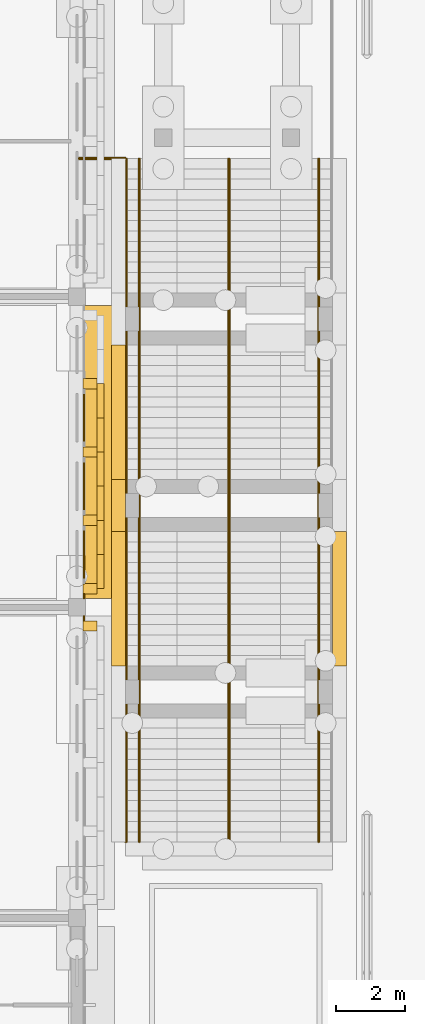
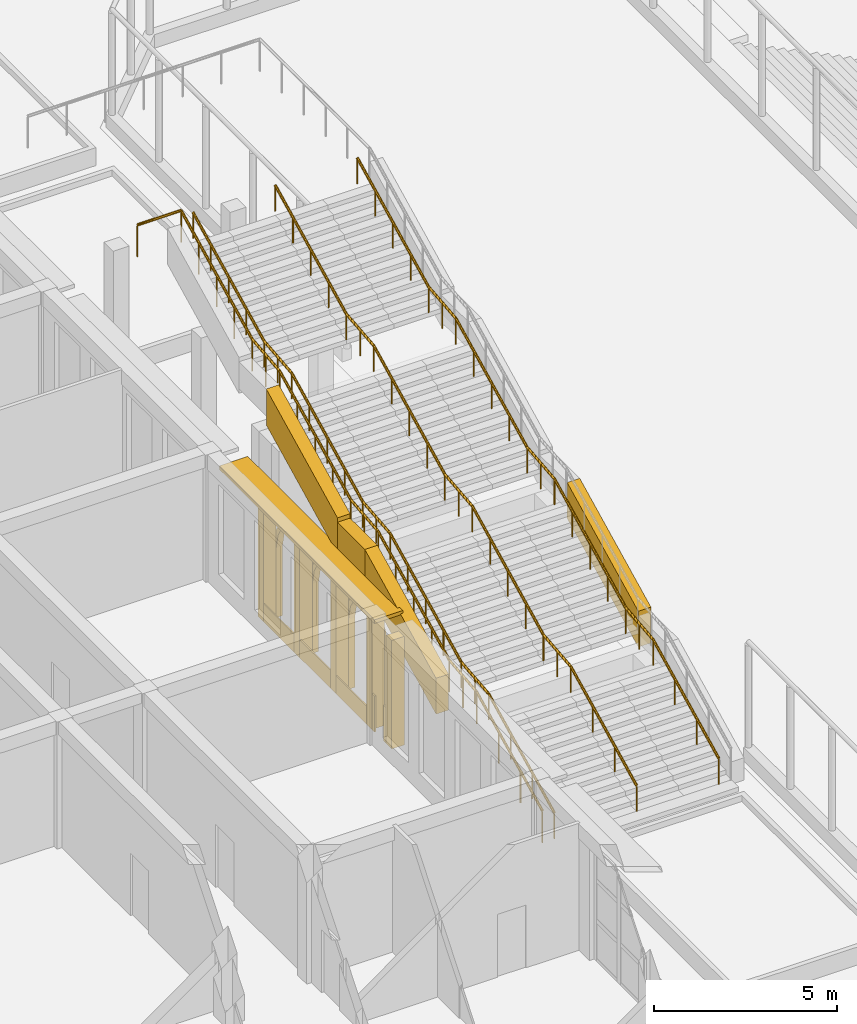
# One storey, part 135 of 161: 17 coverings, 4 railings, 1 shading device.
"""IFC4 building model written with IfcOpenShell, lengths in metres."""

from ifc_helpers import new_model, si_unit, direction, frame, origin, origin_2d, place, context, subcontext, project, spatial, polyline, rectangle, circle, outline, extrude, material, layer, layer_set, type_object, element, save


model = new_model("IFC4")

# Units and contexts
model_context = context("Model", 3, precision=1e-05, world=origin(), true_north=direction((0.0, 1.0)))
body_context = subcontext(model_context, "Body", "Model", "MODEL_VIEW")
ifc_project = project(units=[si_unit("LENGTHUNIT", "METRE"), si_unit("AREAUNIT", "SQUARE_METRE"), si_unit("VOLUMEUNIT", "CUBIC_METRE"), si_unit("PLANEANGLEUNIT", "RADIAN"), si_unit("MASSUNIT", "GRAM", prefix="KILO")], contexts=[model_context])

# Site, building, storey
site_placement = place(None, origin())
site = spatial("IfcSite", under=ifc_project, at=site_placement, CompositionType="ELEMENT")
building_placement = place(site_placement, origin())
building = spatial("IfcBuilding", under=site, at=building_placement, Name="Elbe Cascade School", CompositionType="ELEMENT")
storey_placement = place(building_placement, origin())
storey = spatial("IfcBuildingStorey", under=building, at=storey_placement, Name="L00", CompositionType="ELEMENT", Elevation=0.0)

# Shading device
ifc_material_1 = material(Name="Precast concrete C30/37", Category="concrete")
ifc_layer_1 = layer(ifc_material_1, 0.1201171875)
ifc_layer_set_1 = layer_set([ifc_layer_1], Name="Precast concrete C30/37")
shading_device_type = type_object("IfcShadingDeviceType", Name="Bars envelope Chhajja eave, precast concrete, 900 x 120", PredefinedType="USERDEFINED", material=ifc_layer_set_1)
shading_device_placement = place(storey_placement, frame((175.530029296875, 28.5, 3.6298828125), z_axis=(0.0, 0.0, 1.0), x_axis=(0.0, 1.0, 0.0)))
element("IfcShadingDevice", 1, at=shading_device_placement, inside=storey, type_object=shading_device_type, Name="Chhajja eave SD2 D.L00.e3", ObjectType="CHHAJJA", PredefinedType="USERDEFINED", context=body_context, shape_type="SweptSolid", body=[
    extrude(rectangle(XDim=8.5, YDim=0.89990234375, at=origin_2d()), origin(), (0.0, 0.0, 1.0), 0.1201171875),
])

# Coverings
ifc_material_2 = material(Name="Precast concrete C40/50", Category="concrete")
covering_type_1 = type_object("IfcCoveringType", Name="Bars envelope Precast concrete fin, 300 wide, 400 deep", PredefinedType="CLADDING", material=ifc_material_2)
for number, where, z_axis, x_axis, name in (
    (2, (175.280029296875, 23.4599609375, 0.0), (0.0, 0.0, 1.0), (0.0, 1.0, 0.0), "Fin CV67 D.L00.e2.5"),
    (3, (175.280029296875, 24.5400390625, 0.0), (0.0, 0.0, 1.0), (0.0, 1.0, 0.0), "Fin CV67 D.L00.e3.1"),
    (4, (175.280029296875, 26.52001953125, 0.0), (0.0, 0.0, 1.0), (0.0, 1.0, 0.0), "Fin CV67 D.L00.e3.2"),
    (5, (175.280029296875, 28.5, 0.0), (0.0, 0.0, 1.0), (0.0, 1.0, 0.0), "Fin CV67 D.L00.e3.3"),
    (6, (175.280029296875, 30.47998046875, 0.0), (0.0, 0.0, 1.0), (0.0, 1.0, 0.0), "Fin CV67 D.L00.e3.4"),
):
    element("IfcCovering", number, at=place(storey_placement, frame(where, z_axis=z_axis, x_axis=x_axis)), inside=storey, type_object=covering_type_1, Name=name, PredefinedType="CLADDING", context=body_context, shape_type="SweptSolid", body=[
        extrude(rectangle(XDim=0.300048828125, YDim=0.39990234375, at=origin_2d()), origin(), (0.0, 0.0, 1.0), 3.6298828125),
    ])
ifc_material_3 = material(Name="Sandstone - red", Category="masonry")
ifc_layer_2 = layer(ifc_material_3, 0.0400390625)
ifc_layer_set_2 = layer_set([ifc_layer_2], Name="Sandstone - red")
covering_type_2 = type_object("IfcCoveringType", Name="Bars envelope Sandstone cladding, red, 40 mm", PredefinedType="CLADDING", material=ifc_layer_set_2)
for number, where, z_axis, x_axis, name in (
    (7, (175.10009765625, 23.679931640625, 0.0), (0.0, 0.0, 1.0), (0.0, 1.0, 0.0), "Sandstone cladding CV48 D.L00.e.2.6"),
    (8, (175.10009765625, 24.320068359375, 0.0), (0.0, 0.0, 1.0), (0.0, 1.0, 0.0), "Sandstone cladding CV48 D.L00.e.3.1"),
):
    element("IfcCovering", number, at=place(storey_placement, frame(where, z_axis=z_axis, x_axis=x_axis)), inside=storey, type_object=covering_type_2, Name=name, PredefinedType="CLADDING", context=body_context, shape_type="SweptSolid", body=[
        extrude(rectangle(XDim=0.139892578125, YDim=0.0400390625, at=origin_2d()), origin(), (0.0, 0.0, 1.0), 1.199951171875),
    ])
for number, where, z_axis, x_axis, name in (
    (9, (175.10009765625, 25.530029296875, 0.0), (0.0, 0.0, 1.0), (0.0, 1.0, 0.0), "Sandstone cladding CV48 D.L00.e.3.2"),
    (10, (175.10009765625, 27.510009765625, 0.0), (0.0, 0.0, 1.0), (0.0, 1.0, 0.0), "Sandstone cladding CV48 D.L00.e.3.3"),
    (11, (175.10009765625, 29.489990234375, 0.0), (0.0, 0.0, 1.0), (0.0, 1.0, 0.0), "Sandstone cladding CV48 D.L00.e.3.4"),
):
    element("IfcCovering", number, at=place(storey_placement, frame(where, z_axis=z_axis, x_axis=x_axis)), inside=storey, type_object=covering_type_2, Name=name, PredefinedType="CLADDING", context=body_context, shape_type="SweptSolid", body=[
        extrude(rectangle(XDim=1.679931640625, YDim=0.0400390625, at=origin_2d()), origin(), (0.0, 0.0, 1.0), 0.60009765625),
    ])
ifc_material_4 = material(Name="Sandstone - red", Category="masonry")
covering_type_3 = type_object("IfcCoveringType", Name="Bars envelope Sandstone pointed arch band, 1980 wide, 200 deep", PredefinedType="CLADDING", material=ifc_material_4)
covering_1_placement = place(storey_placement, frame((175.679931640625, 24.68994140625, 0.0), z_axis=(1.0, 0.0, 0.0), x_axis=(0.0, 0.0, 1.0)))
element("IfcCovering", 12, at=covering_1_placement, inside=storey, type_object=covering_type_3, Name="Arcade arch CV68 D.L00.e3.1", PredefinedType="CLADDING", context=body_context, shape_type="SweptSolid", body=[
    extrude(outline(polyline([(0.0, 0.0), (2.330078125, 0.0), (2.822509765625, -0.10498046875), (3.010498046875, -0.2099609375), (3.143310546875, -0.31494140625), (3.2451171875, -0.420166015625), (3.325927734375, -0.525146484375), (3.390380859375, -0.630126953125), (3.44091796875, -0.735107421875), (3.47998046875, -0.840087890625), (3.44091796875, -0.945068359375), (3.390380859375, -1.050048828125), (3.325927734375, -1.155029296875), (3.2451171875, -1.260009765625), (3.143310546875, -1.364990234375), (3.010498046875, -1.469970703125), (2.822509765625, -1.574951171875), (2.330078125, -1.68017578125), (0.0, -1.68017578125), (0.0, -1.830078125), (2.330078125, -1.830078125), (2.894287109375, -1.706298828125), (3.108642578125, -1.58251953125), (3.25927734375, -1.458740234375), (3.3740234375, -1.3349609375), (3.464111328125, -1.21142578125), (3.53466796875, -1.087646484375), (3.58935546875, -0.9638671875), (3.6298828125, -0.840087890625), (3.58935546875, -0.71630859375), (3.53466796875, -0.592529296875), (3.464111328125, -0.46875), (3.3740234375, -0.344970703125), (3.25927734375, -0.221435546875), (3.108642578125, -0.09765625), (2.894287109375, 0.026123046875), (2.330078125, 0.14990234375), (0.0, 0.14990234375), (0.0, 0.0)])), origin(), (0.0, 0.0, -1.0), 0.199951171875),
])
covering_2_placement = place(storey_placement, frame((175.679931640625, 26.669921875, 0.0), z_axis=(1.0, 0.0, 0.0), x_axis=(0.0, 0.0, 1.0)))
element("IfcCovering", 13, at=covering_2_placement, inside=storey, type_object=covering_type_3, Name="Arcade arch CV68 D.L00.e3.2", PredefinedType="CLADDING", context=body_context, shape_type="SweptSolid", body=[
    extrude(outline(polyline([(0.0, 0.0), (2.330078125, 0.0), (2.822509765625, -0.10498046875), (3.010498046875, -0.2099609375), (3.143310546875, -0.315185546875), (3.2451171875, -0.420166015625), (3.325927734375, -0.525146484375), (3.390380859375, -0.630126953125), (3.44091796875, -0.735107421875), (3.47998046875, -0.840087890625), (3.44091796875, -0.945068359375), (3.390380859375, -1.050048828125), (3.325927734375, -1.155029296875), (3.2451171875, -1.260009765625), (3.143310546875, -1.364990234375), (3.010498046875, -1.469970703125), (2.822509765625, -1.5751953125), (2.330078125, -1.68017578125), (0.0, -1.68017578125), (0.0, -1.830078125), (2.330078125, -1.830078125), (2.894287109375, -1.706298828125), (3.108642578125, -1.58251953125), (3.25927734375, -1.458740234375), (3.3740234375, -1.3349609375), (3.464111328125, -1.211181640625), (3.53466796875, -1.087646484375), (3.58935546875, -0.9638671875), (3.6298828125, -0.840087890625), (3.58935546875, -0.71630859375), (3.53466796875, -0.592529296875), (3.464111328125, -0.46875), (3.3740234375, -0.344970703125), (3.25927734375, -0.22119140625), (3.108642578125, -0.09765625), (2.894287109375, 0.026123046875), (2.330078125, 0.14990234375), (0.0, 0.14990234375), (0.0, 0.0)])), origin(), (0.0, 0.0, -1.0), 0.199951171875),
])
covering_3_placement = place(storey_placement, frame((175.679931640625, 28.64990234375, 0.0), z_axis=(1.0, 0.0, 0.0), x_axis=(0.0, 0.0, 1.0)))
element("IfcCovering", 14, at=covering_3_placement, inside=storey, type_object=covering_type_3, Name="Arcade arch CV68 D.L00.e3.3", PredefinedType="CLADDING", context=body_context, shape_type="SweptSolid", body=[
    extrude(outline(polyline([(0.0, 0.0), (2.330078125, 0.0), (2.822509765625, -0.10498046875), (3.010498046875, -0.210205078125), (3.143310546875, -0.315185546875), (3.2451171875, -0.420166015625), (3.325927734375, -0.525146484375), (3.390380859375, -0.630126953125), (3.44091796875, -0.735107421875), (3.47998046875, -0.840087890625), (3.44091796875, -0.945068359375), (3.390380859375, -1.050048828125), (3.325927734375, -1.155029296875), (3.2451171875, -1.260009765625), (3.143310546875, -1.364990234375), (3.010498046875, -1.47021484375), (2.822509765625, -1.5751953125), (2.330078125, -1.68017578125), (0.0, -1.68017578125), (0.0, -1.830078125), (2.330078125, -1.830078125), (2.894287109375, -1.706298828125), (3.108642578125, -1.58251953125), (3.25927734375, -1.458984375), (3.3740234375, -1.335205078125), (3.464111328125, -1.21142578125), (3.53466796875, -1.087646484375), (3.58935546875, -0.9638671875), (3.6298828125, -0.840087890625), (3.58935546875, -0.71630859375), (3.53466796875, -0.592529296875), (3.464111328125, -0.468994140625), (3.3740234375, -0.34521484375), (3.25927734375, -0.221435546875), (3.108642578125, -0.09765625), (2.894287109375, 0.026123046875), (2.330078125, 0.14990234375), (0.0, 0.14990234375), (0.0, 0.0)])), origin(), (0.0, 0.0, -1.0), 0.199951171875),
])
ifc_material_5 = material(Name="Sandstone - red", Category="masonry")
ifc_layer_3 = layer(ifc_material_5, 0.39990234375)
ifc_layer_set_3 = layer_set([ifc_layer_3], Name="Sandstone - red")
covering_type_4 = type_object("IfcCoveringType", Name="Cascade cheek wall 400", PredefinedType="CLADDING", material=ifc_layer_set_3)
covering_4_placement = place(storey_placement, frame((175.89990234375, 22.300048828125, 2.6923828125), z_axis=(0.0, -0.445913150156, 0.895076232797), x_axis=(0.0, 0.895076232797, 0.445913150156)))
element("IfcCovering", 15, at=covering_4_placement, inside=storey, type_object=covering_type_4, Name="Cascade flight 2 cheek wall w", PredefinedType="CLADDING", context=body_context, shape_type="SweptSolid", body=[
    extrude(outline(polyline([(0.0, 0.0), (4.3570616678807825, 0.0), (4.3570616678807825, -0.400146484375), (0.0, -0.400146484375), (0.0, 0.0)])), origin(), (-0.445913150156, 0.0, -0.895076232797), 1.199951171875),
])
covering_5_placement = place(storey_placement, frame((175.89990234375, 27.699951171875, 4.78466796875), z_axis=(0.0, -0.44589078677, 0.895087373542), x_axis=(0.0, 0.895087373542, 0.44589078677)))
element("IfcCovering", 16, at=covering_5_placement, inside=storey, type_object=covering_type_4, Name="Cascade flight 3 cheek wall w", PredefinedType="CLADDING", context=body_context, shape_type="SweptSolid", body=[
    extrude(outline(polyline([(0.0, 0.0), (4.357280193711668, 0.0), (4.357280193711668, -0.400146484375), (0.0, -0.400146484375), (0.0, 0.0)])), origin(), (-0.44589078677, 0.0, -0.895087373542), 1.199951171875),
])
covering_6_placement = place(storey_placement, frame((0.0, 0.0, 3.7353515625)))
element("IfcCovering", 17, at=covering_6_placement, inside=storey, type_object=covering_type_4, Name="Cascade landing 2 cheek wall w", PredefinedType="CLADDING", context=body_context, shape_type="SweptSolid", body=[
    extrude(outline(polyline([(175.89990234375, 26.199951171875), (176.300048828125, 26.199951171875), (176.300048828125, 27.699951171875), (175.89990234375, 27.699951171875), (175.89990234375, 26.199951171875)])), origin(), (0.0, 0.0, 1.0), 0.89990234375),
])
covering_7_placement = place(storey_placement, frame((182.300048828125, 22.300048828125, 2.6923828125), z_axis=(0.0, -0.445913150156, 0.895076232797), x_axis=(0.0, 0.895076232797, 0.445913150156)))
element("IfcCovering", 18, at=covering_7_placement, inside=storey, type_object=covering_type_4, Name="Cascade flight 2 cheek wall e", PredefinedType="CLADDING", context=body_context, shape_type="SweptSolid", body=[
    extrude(outline(polyline([(0.0, 0.0), (4.3570616678807825, 0.0), (4.3570616678807825, -0.39990234375), (0.0, -0.39990234375), (0.0, 0.0)])), origin(), (-0.445913150156, 0.0, -0.895076232797), 1.199951171875),
])

# Railings
ifc_material_6 = material(Name="Steel S355J2H", Category="steel")
railing_type_1 = type_object("IfcRailingType", Name="Track guard 1100", PredefinedType="GUARDRAIL", material=ifc_material_6)
railing_1_placement = place(storey_placement, frame((174.94189453125, 37.0, 8.219970703125)))
element("IfcRailing", 19, at=railing_1_placement, inside=storey, type_object=railing_type_1, Name="Track guard RL4 cascade west", PredefinedType="GUARDRAIL", context=body_context, shape_type="SweptSolid", body=[
    extrude(circle(Radius=0.0400390625, at=origin_2d()), frame((0.0, 0.0, 1.06005859375), z_axis=(1.0, 0.0, 0.0), x_axis=(0.0, 1.0, 0.0)), (0.0, 0.0, 1.0), 1.379150390625),
    extrude(circle(Radius=0.0400390625, at=origin_2d()), frame((1.379150390625, 0.0, 1.06005859375), z_axis=(0.0, -0.895076232797, -0.445913150156), x_axis=(1.0, 0.0, 0.0)), (0.0, 0.0, 1.0), 4.357177734375),
    extrude(circle(Radius=0.0400390625, at=origin_2d()), frame((1.379150390625, -3.89990234375, -0.8828125), z_axis=(0.0, -0.995075601073, -0.099118858701), x_axis=(1.0, 0.0, 0.0)), (0.0, 0.0, 1.0), 1.50732421875),
    extrude(circle(Radius=0.0400390625, at=origin_2d()), frame((1.379150390625, -5.39990234375, -1.0322265625), z_axis=(0.0, -0.895087373542, -0.44589078677), x_axis=(1.0, 0.0, 0.0)), (0.0, 0.0, 1.0), 4.357177734375),
    extrude(circle(Radius=0.0400390625, at=origin_2d()), frame((1.379150390625, -9.300048828125, -2.97509765625), z_axis=(0.0, -0.995075601073, -0.099118858701), x_axis=(1.0, 0.0, 0.0)), (0.0, 0.0, 1.0), 1.50732421875),
    extrude(circle(Radius=0.0400390625, at=origin_2d()), frame((1.379150390625, -10.800048828125, -3.12451171875), z_axis=(0.0, -0.895053867861, -0.445958040209), x_axis=(1.0, 0.0, 0.0)), (0.0, 0.0, 1.0), 4.357177734375),
    extrude(circle(Radius=0.0400390625, at=origin_2d()), frame((1.379150390625, -14.699951171875, -5.067626953125), z_axis=(0.0, -0.995075601073, -0.099118858701), x_axis=(1.0, 0.0, 0.0)), (0.0, 0.0, 1.0), 1.50732421875),
    extrude(circle(Radius=0.0400390625, at=origin_2d()), frame((1.379150390625, -16.199951171875, -5.217041015625), z_axis=(0.0, -0.89508178973, -0.445901995616), x_axis=(1.0, 0.0, 0.0)), (0.0, 0.0, 1.0), 4.02197265625),
    extrude(circle(Radius=0.02099609375, at=origin_2d()), origin(), (0.0, 0.0, 1.0), 1.02001953125),
    extrude(circle(Radius=0.02099609375, at=origin_2d()), frame((1.379150390625, 0.0, 0.0)), (0.0, 0.0, 1.0), 1.02001953125),
    extrude(circle(Radius=0.02099609375, at=origin_2d()), frame((1.379150390625, -0.97509765625, -0.48583984375)), (0.0, 0.0, 1.0), 1.02001953125),
    extrude(circle(Radius=0.02099609375, at=origin_2d()), frame((1.379150390625, -1.949951171875, -0.971435546875)), (0.0, 0.0, 1.0), 1.02001953125),
    extrude(circle(Radius=0.02099609375, at=origin_2d()), frame((1.379150390625, -2.9248046875, -1.45703125)), (0.0, 0.0, 1.0), 1.02001953125),
    extrude(circle(Radius=0.02099609375, at=origin_2d()), frame((1.379150390625, -3.89990234375, -1.94287109375)), (0.0, 0.0, 1.0), 1.02001953125),
    extrude(circle(Radius=0.02099609375, at=origin_2d()), frame((1.379150390625, -4.64990234375, -2.017578125)), (0.0, 0.0, 1.0), 1.02001953125),
    extrude(circle(Radius=0.02099609375, at=origin_2d()), frame((1.379150390625, -5.39990234375, -2.09228515625)), (0.0, 0.0, 1.0), 1.02001953125),
    extrude(circle(Radius=0.02099609375, at=origin_2d()), frame((1.379150390625, -6.375, -2.578125)), (0.0, 0.0, 1.0), 1.02001953125),
    extrude(circle(Radius=0.02099609375, at=origin_2d()), frame((1.379150390625, -7.35009765625, -3.063720703125)), (0.0, 0.0, 1.0), 1.02001953125),
    extrude(circle(Radius=0.02099609375, at=origin_2d()), frame((1.379150390625, -8.324951171875, -3.54931640625)), (0.0, 0.0, 1.0), 1.02001953125),
    extrude(circle(Radius=0.02099609375, at=origin_2d()), frame((1.379150390625, -9.300048828125, -4.03515625)), (0.0, 0.0, 1.0), 1.02001953125),
    extrude(circle(Radius=0.02099609375, at=origin_2d()), frame((1.379150390625, -10.050048828125, -4.10986328125)), (0.0, 0.0, 1.0), 1.02001953125),
    extrude(circle(Radius=0.02099609375, at=origin_2d()), frame((1.379150390625, -10.800048828125, -4.1845703125)), (0.0, 0.0, 1.0), 1.02001953125),
    extrude(circle(Radius=0.02099609375, at=origin_2d()), frame((1.379150390625, -11.77490234375, -4.67041015625)), (0.0, 0.0, 1.0), 1.02001953125),
    extrude(circle(Radius=0.02099609375, at=origin_2d()), frame((1.379150390625, -12.75, -5.15625)), (0.0, 0.0, 1.0), 1.02001953125),
    extrude(circle(Radius=0.02099609375, at=origin_2d()), frame((1.379150390625, -13.72509765625, -5.641845703125)), (0.0, 0.0, 1.0), 1.02001953125),
    extrude(circle(Radius=0.02099609375, at=origin_2d()), frame((1.379150390625, -14.699951171875, -6.127685546875)), (0.0, 0.0, 1.0), 1.02001953125),
    extrude(circle(Radius=0.02099609375, at=origin_2d()), frame((1.379150390625, -15.449951171875, -6.202392578125)), (0.0, 0.0, 1.0), 1.02001953125),
    extrude(circle(Radius=0.02099609375, at=origin_2d()), frame((1.379150390625, -16.199951171875, -6.277099609375)), (0.0, 0.0, 1.0), 1.02001953125),
    extrude(circle(Radius=0.02099609375, at=origin_2d()), frame((1.379150390625, -17.39990234375, -6.875)), (0.0, 0.0, 1.0), 1.02001953125),
    extrude(circle(Radius=0.02099609375, at=origin_2d()), frame((1.379150390625, -18.60009765625, -7.47265625)), (0.0, 0.0, 1.0), 1.02001953125),
    extrude(circle(Radius=0.02099609375, at=origin_2d()), frame((1.379150390625, -19.800048828125, -8.070556640625)), (0.0, 0.0, 1.0), 1.02001953125),
])
ifc_material_7 = material(Name="Steel S355J2H", Category="steel")
railing_type_2 = type_object("IfcRailingType", Name="Track handrail 900", PredefinedType="HANDRAIL", material=ifc_material_7)
railing_2_placement = place(storey_placement, frame((176.699951171875, 37.0, 8.219970703125)))
element("IfcRailing", 20, at=railing_2_placement, inside=storey, type_object=railing_type_2, Name="Track handrail RL5 cascade w", PredefinedType="HANDRAIL", context=body_context, shape_type="SweptSolid", body=[
    extrude(circle(Radius=0.0400390625, at=origin_2d()), frame((0.0, 0.0, 0.85986328125), z_axis=(0.0, -0.895076232797, -0.445913150156), x_axis=(1.0, 0.0, 0.0)), (0.0, 0.0, 1.0), 4.357177734375),
    extrude(circle(Radius=0.0400390625, at=origin_2d()), frame((0.0, -3.89990234375, -1.0830078125), z_axis=(0.0, -0.995075601073, -0.099118858701), x_axis=(1.0, 0.0, 0.0)), (0.0, 0.0, 1.0), 1.50732421875),
    extrude(circle(Radius=0.0400390625, at=origin_2d()), frame((0.0, -5.39990234375, -1.232421875), z_axis=(0.0, -0.895087373542, -0.44589078677), x_axis=(1.0, 0.0, 0.0)), (0.0, 0.0, 1.0), 4.357177734375),
    extrude(circle(Radius=0.0400390625, at=origin_2d()), frame((0.0, -9.300048828125, -3.17529296875), z_axis=(0.0, -0.995075601073, -0.099118858701), x_axis=(1.0, 0.0, 0.0)), (0.0, 0.0, 1.0), 1.50732421875),
    extrude(circle(Radius=0.0400390625, at=origin_2d()), frame((0.0, -10.800048828125, -3.32470703125), z_axis=(0.0, -0.895053867861, -0.445958040209), x_axis=(1.0, 0.0, 0.0)), (0.0, 0.0, 1.0), 4.357177734375),
    extrude(circle(Radius=0.0400390625, at=origin_2d()), frame((0.0, -14.699951171875, -5.267822265625), z_axis=(0.0, -0.995075601073, -0.099118858701), x_axis=(1.0, 0.0, 0.0)), (0.0, 0.0, 1.0), 1.50732421875),
    extrude(circle(Radius=0.0400390625, at=origin_2d()), frame((0.0, -16.199951171875, -5.417236328125), z_axis=(0.0, -0.89508178973, -0.445901995616), x_axis=(1.0, 0.0, 0.0)), (0.0, 0.0, 1.0), 4.02197265625),
    extrude(circle(Radius=0.02099609375, at=origin_2d()), origin(), (0.0, 0.0, 1.0), 0.81982421875),
    extrude(circle(Radius=0.02099609375, at=origin_2d()), frame((0.0, -0.97509765625, -0.48583984375)), (0.0, 0.0, 1.0), 0.81982421875),
    extrude(circle(Radius=0.02099609375, at=origin_2d()), frame((0.0, -1.949951171875, -0.971435546875)), (0.0, 0.0, 1.0), 0.81982421875),
    extrude(circle(Radius=0.02099609375, at=origin_2d()), frame((0.0, -2.9248046875, -1.45703125)), (0.0, 0.0, 1.0), 0.81982421875),
    extrude(circle(Radius=0.02099609375, at=origin_2d()), frame((0.0, -3.89990234375, -1.94287109375)), (0.0, 0.0, 1.0), 0.81982421875),
    extrude(circle(Radius=0.02099609375, at=origin_2d()), frame((0.0, -4.64990234375, -2.017578125)), (0.0, 0.0, 1.0), 0.81982421875),
    extrude(circle(Radius=0.02099609375, at=origin_2d()), frame((0.0, -5.39990234375, -2.09228515625)), (0.0, 0.0, 1.0), 0.81982421875),
    extrude(circle(Radius=0.02099609375, at=origin_2d()), frame((0.0, -6.375, -2.578125)), (0.0, 0.0, 1.0), 0.81982421875),
    extrude(circle(Radius=0.02099609375, at=origin_2d()), frame((0.0, -7.35009765625, -3.063720703125)), (0.0, 0.0, 1.0), 0.81982421875),
    extrude(circle(Radius=0.02099609375, at=origin_2d()), frame((0.0, -8.324951171875, -3.54931640625)), (0.0, 0.0, 1.0), 0.81982421875),
    extrude(circle(Radius=0.02099609375, at=origin_2d()), frame((0.0, -9.300048828125, -4.03515625)), (0.0, 0.0, 1.0), 0.81982421875),
    extrude(circle(Radius=0.02099609375, at=origin_2d()), frame((0.0, -10.050048828125, -4.10986328125)), (0.0, 0.0, 1.0), 0.81982421875),
    extrude(circle(Radius=0.02099609375, at=origin_2d()), frame((0.0, -10.800048828125, -4.1845703125)), (0.0, 0.0, 1.0), 0.81982421875),
    extrude(circle(Radius=0.02099609375, at=origin_2d()), frame((0.0, -11.77490234375, -4.67041015625)), (0.0, 0.0, 1.0), 0.81982421875),
    extrude(circle(Radius=0.02099609375, at=origin_2d()), frame((0.0, -12.75, -5.15625)), (0.0, 0.0, 1.0), 0.81982421875),
    extrude(circle(Radius=0.02099609375, at=origin_2d()), frame((0.0, -13.72509765625, -5.641845703125)), (0.0, 0.0, 1.0), 0.81982421875),
    extrude(circle(Radius=0.02099609375, at=origin_2d()), frame((0.0, -14.699951171875, -6.127685546875)), (0.0, 0.0, 1.0), 0.81982421875),
    extrude(circle(Radius=0.02099609375, at=origin_2d()), frame((0.0, -15.449951171875, -6.202392578125)), (0.0, 0.0, 1.0), 0.81982421875),
    extrude(circle(Radius=0.02099609375, at=origin_2d()), frame((0.0, -16.199951171875, -6.277099609375)), (0.0, 0.0, 1.0), 0.81982421875),
    extrude(circle(Radius=0.02099609375, at=origin_2d()), frame((0.0, -17.39990234375, -6.875)), (0.0, 0.0, 1.0), 0.81982421875),
    extrude(circle(Radius=0.02099609375, at=origin_2d()), frame((0.0, -18.60009765625, -7.47265625)), (0.0, 0.0, 1.0), 0.81982421875),
    extrude(circle(Radius=0.02099609375, at=origin_2d()), frame((0.0, -19.800048828125, -8.070556640625)), (0.0, 0.0, 1.0), 0.81982421875),
])
railing_3_placement = place(storey_placement, frame((179.300048828125, 37.0, 8.219970703125)))
element("IfcRailing", 21, at=railing_3_placement, inside=storey, type_object=railing_type_2, Name="Track handrail RL5 cascade c", PredefinedType="HANDRAIL", context=body_context, shape_type="SweptSolid", body=[
    extrude(circle(Radius=0.0400390625, at=origin_2d()), frame((0.0, 0.0, 0.85986328125), z_axis=(0.0, -0.895076232797, -0.445913150156), x_axis=(1.0, 0.0, 0.0)), (0.0, 0.0, 1.0), 4.357177734375),
    extrude(circle(Radius=0.0400390625, at=origin_2d()), frame((0.0, -3.89990234375, -1.0830078125), z_axis=(0.0, -0.995075601073, -0.099118858701), x_axis=(1.0, 0.0, 0.0)), (0.0, 0.0, 1.0), 1.50732421875),
    extrude(circle(Radius=0.0400390625, at=origin_2d()), frame((0.0, -5.39990234375, -1.232421875), z_axis=(0.0, -0.895087373542, -0.44589078677), x_axis=(1.0, 0.0, 0.0)), (0.0, 0.0, 1.0), 4.357177734375),
    extrude(circle(Radius=0.0400390625, at=origin_2d()), frame((0.0, -9.300048828125, -3.17529296875), z_axis=(0.0, -0.995075601073, -0.099118858701), x_axis=(1.0, 0.0, 0.0)), (0.0, 0.0, 1.0), 1.50732421875),
    extrude(circle(Radius=0.0400390625, at=origin_2d()), frame((0.0, -10.800048828125, -3.32470703125), z_axis=(0.0, -0.895053867861, -0.445958040209), x_axis=(1.0, 0.0, 0.0)), (0.0, 0.0, 1.0), 4.357177734375),
    extrude(circle(Radius=0.0400390625, at=origin_2d()), frame((0.0, -14.699951171875, -5.267822265625), z_axis=(0.0, -0.995075601073, -0.099118858701), x_axis=(1.0, 0.0, 0.0)), (0.0, 0.0, 1.0), 1.50732421875),
    extrude(circle(Radius=0.0400390625, at=origin_2d()), frame((0.0, -16.199951171875, -5.417236328125), z_axis=(0.0, -0.89508178973, -0.445901995616), x_axis=(1.0, 0.0, 0.0)), (0.0, 0.0, 1.0), 4.02197265625),
    extrude(circle(Radius=0.02099609375, at=origin_2d()), origin(), (0.0, 0.0, 1.0), 0.81982421875),
    extrude(circle(Radius=0.02099609375, at=origin_2d()), frame((0.0, -0.97509765625, -0.48583984375)), (0.0, 0.0, 1.0), 0.81982421875),
    extrude(circle(Radius=0.02099609375, at=origin_2d()), frame((0.0, -1.949951171875, -0.971435546875)), (0.0, 0.0, 1.0), 0.81982421875),
    extrude(circle(Radius=0.02099609375, at=origin_2d()), frame((0.0, -2.9248046875, -1.45703125)), (0.0, 0.0, 1.0), 0.81982421875),
    extrude(circle(Radius=0.02099609375, at=origin_2d()), frame((0.0, -3.89990234375, -1.94287109375)), (0.0, 0.0, 1.0), 0.81982421875),
    extrude(circle(Radius=0.02099609375, at=origin_2d()), frame((0.0, -4.64990234375, -2.017578125)), (0.0, 0.0, 1.0), 0.81982421875),
    extrude(circle(Radius=0.02099609375, at=origin_2d()), frame((0.0, -5.39990234375, -2.09228515625)), (0.0, 0.0, 1.0), 0.81982421875),
    extrude(circle(Radius=0.02099609375, at=origin_2d()), frame((0.0, -6.375, -2.578125)), (0.0, 0.0, 1.0), 0.81982421875),
    extrude(circle(Radius=0.02099609375, at=origin_2d()), frame((0.0, -7.35009765625, -3.063720703125)), (0.0, 0.0, 1.0), 0.81982421875),
    extrude(circle(Radius=0.02099609375, at=origin_2d()), frame((0.0, -8.324951171875, -3.54931640625)), (0.0, 0.0, 1.0), 0.81982421875),
    extrude(circle(Radius=0.02099609375, at=origin_2d()), frame((0.0, -9.300048828125, -4.03515625)), (0.0, 0.0, 1.0), 0.81982421875),
    extrude(circle(Radius=0.02099609375, at=origin_2d()), frame((0.0, -10.050048828125, -4.10986328125)), (0.0, 0.0, 1.0), 0.81982421875),
    extrude(circle(Radius=0.02099609375, at=origin_2d()), frame((0.0, -10.800048828125, -4.1845703125)), (0.0, 0.0, 1.0), 0.81982421875),
    extrude(circle(Radius=0.02099609375, at=origin_2d()), frame((0.0, -11.77490234375, -4.67041015625)), (0.0, 0.0, 1.0), 0.81982421875),
    extrude(circle(Radius=0.02099609375, at=origin_2d()), frame((0.0, -12.75, -5.15625)), (0.0, 0.0, 1.0), 0.81982421875),
    extrude(circle(Radius=0.02099609375, at=origin_2d()), frame((0.0, -13.72509765625, -5.641845703125)), (0.0, 0.0, 1.0), 0.81982421875),
    extrude(circle(Radius=0.02099609375, at=origin_2d()), frame((0.0, -14.699951171875, -6.127685546875)), (0.0, 0.0, 1.0), 0.81982421875),
    extrude(circle(Radius=0.02099609375, at=origin_2d()), frame((0.0, -15.449951171875, -6.202392578125)), (0.0, 0.0, 1.0), 0.81982421875),
    extrude(circle(Radius=0.02099609375, at=origin_2d()), frame((0.0, -16.199951171875, -6.277099609375)), (0.0, 0.0, 1.0), 0.81982421875),
    extrude(circle(Radius=0.02099609375, at=origin_2d()), frame((0.0, -17.39990234375, -6.875)), (0.0, 0.0, 1.0), 0.81982421875),
    extrude(circle(Radius=0.02099609375, at=origin_2d()), frame((0.0, -18.60009765625, -7.47265625)), (0.0, 0.0, 1.0), 0.81982421875),
    extrude(circle(Radius=0.02099609375, at=origin_2d()), frame((0.0, -19.800048828125, -8.070556640625)), (0.0, 0.0, 1.0), 0.81982421875),
])
railing_4_placement = place(storey_placement, frame((181.89990234375, 37.0, 8.219970703125)))
element("IfcRailing", 22, at=railing_4_placement, inside=storey, type_object=railing_type_2, Name="Track handrail RL5 cascade e", PredefinedType="HANDRAIL", context=body_context, shape_type="SweptSolid", body=[
    extrude(circle(Radius=0.0400390625, at=origin_2d()), frame((0.0, 0.0, 0.85986328125), z_axis=(0.0, -0.895076232797, -0.445913150156), x_axis=(1.0, 0.0, 0.0)), (0.0, 0.0, 1.0), 4.357177734375),
    extrude(circle(Radius=0.0400390625, at=origin_2d()), frame((0.0, -3.89990234375, -1.0830078125), z_axis=(0.0, -0.995075601073, -0.099118858701), x_axis=(1.0, 0.0, 0.0)), (0.0, 0.0, 1.0), 1.50732421875),
    extrude(circle(Radius=0.0400390625, at=origin_2d()), frame((0.0, -5.39990234375, -1.232421875), z_axis=(0.0, -0.895087373542, -0.44589078677), x_axis=(1.0, 0.0, 0.0)), (0.0, 0.0, 1.0), 4.357177734375),
    extrude(circle(Radius=0.0400390625, at=origin_2d()), frame((0.0, -9.300048828125, -3.17529296875), z_axis=(0.0, -0.995075601073, -0.099118858701), x_axis=(1.0, 0.0, 0.0)), (0.0, 0.0, 1.0), 1.50732421875),
    extrude(circle(Radius=0.0400390625, at=origin_2d()), frame((0.0, -10.800048828125, -3.32470703125), z_axis=(0.0, -0.895053867861, -0.445958040209), x_axis=(1.0, 0.0, 0.0)), (0.0, 0.0, 1.0), 4.357177734375),
    extrude(circle(Radius=0.0400390625, at=origin_2d()), frame((0.0, -14.699951171875, -5.267822265625), z_axis=(0.0, -0.995075601073, -0.099118858701), x_axis=(1.0, 0.0, 0.0)), (0.0, 0.0, 1.0), 1.50732421875),
    extrude(circle(Radius=0.0400390625, at=origin_2d()), frame((0.0, -16.199951171875, -5.417236328125), z_axis=(0.0, -0.89508178973, -0.445901995616), x_axis=(1.0, 0.0, 0.0)), (0.0, 0.0, 1.0), 4.02197265625),
    extrude(circle(Radius=0.02099609375, at=origin_2d()), origin(), (0.0, 0.0, 1.0), 0.81982421875),
    extrude(circle(Radius=0.02099609375, at=origin_2d()), frame((0.0, -0.97509765625, -0.48583984375)), (0.0, 0.0, 1.0), 0.81982421875),
    extrude(circle(Radius=0.02099609375, at=origin_2d()), frame((0.0, -1.949951171875, -0.971435546875)), (0.0, 0.0, 1.0), 0.81982421875),
    extrude(circle(Radius=0.02099609375, at=origin_2d()), frame((0.0, -2.9248046875, -1.45703125)), (0.0, 0.0, 1.0), 0.81982421875),
    extrude(circle(Radius=0.02099609375, at=origin_2d()), frame((0.0, -3.89990234375, -1.94287109375)), (0.0, 0.0, 1.0), 0.81982421875),
    extrude(circle(Radius=0.02099609375, at=origin_2d()), frame((0.0, -4.64990234375, -2.017578125)), (0.0, 0.0, 1.0), 0.81982421875),
    extrude(circle(Radius=0.02099609375, at=origin_2d()), frame((0.0, -5.39990234375, -2.09228515625)), (0.0, 0.0, 1.0), 0.81982421875),
    extrude(circle(Radius=0.02099609375, at=origin_2d()), frame((0.0, -6.375, -2.578125)), (0.0, 0.0, 1.0), 0.81982421875),
    extrude(circle(Radius=0.02099609375, at=origin_2d()), frame((0.0, -7.35009765625, -3.063720703125)), (0.0, 0.0, 1.0), 0.81982421875),
    extrude(circle(Radius=0.02099609375, at=origin_2d()), frame((0.0, -8.324951171875, -3.54931640625)), (0.0, 0.0, 1.0), 0.81982421875),
    extrude(circle(Radius=0.02099609375, at=origin_2d()), frame((0.0, -9.300048828125, -4.03515625)), (0.0, 0.0, 1.0), 0.81982421875),
    extrude(circle(Radius=0.02099609375, at=origin_2d()), frame((0.0, -10.050048828125, -4.10986328125)), (0.0, 0.0, 1.0), 0.81982421875),
    extrude(circle(Radius=0.02099609375, at=origin_2d()), frame((0.0, -10.800048828125, -4.1845703125)), (0.0, 0.0, 1.0), 0.81982421875),
    extrude(circle(Radius=0.02099609375, at=origin_2d()), frame((0.0, -11.77490234375, -4.67041015625)), (0.0, 0.0, 1.0), 0.81982421875),
    extrude(circle(Radius=0.02099609375, at=origin_2d()), frame((0.0, -12.75, -5.15625)), (0.0, 0.0, 1.0), 0.81982421875),
    extrude(circle(Radius=0.02099609375, at=origin_2d()), frame((0.0, -13.72509765625, -5.641845703125)), (0.0, 0.0, 1.0), 0.81982421875),
    extrude(circle(Radius=0.02099609375, at=origin_2d()), frame((0.0, -14.699951171875, -6.127685546875)), (0.0, 0.0, 1.0), 0.81982421875),
    extrude(circle(Radius=0.02099609375, at=origin_2d()), frame((0.0, -15.449951171875, -6.202392578125)), (0.0, 0.0, 1.0), 0.81982421875),
    extrude(circle(Radius=0.02099609375, at=origin_2d()), frame((0.0, -16.199951171875, -6.277099609375)), (0.0, 0.0, 1.0), 0.81982421875),
    extrude(circle(Radius=0.02099609375, at=origin_2d()), frame((0.0, -17.39990234375, -6.875)), (0.0, 0.0, 1.0), 0.81982421875),
    extrude(circle(Radius=0.02099609375, at=origin_2d()), frame((0.0, -18.60009765625, -7.47265625)), (0.0, 0.0, 1.0), 0.81982421875),
    extrude(circle(Radius=0.02099609375, at=origin_2d()), frame((0.0, -19.800048828125, -8.070556640625)), (0.0, 0.0, 1.0), 0.81982421875),
])

save(model, "model.ifc")
